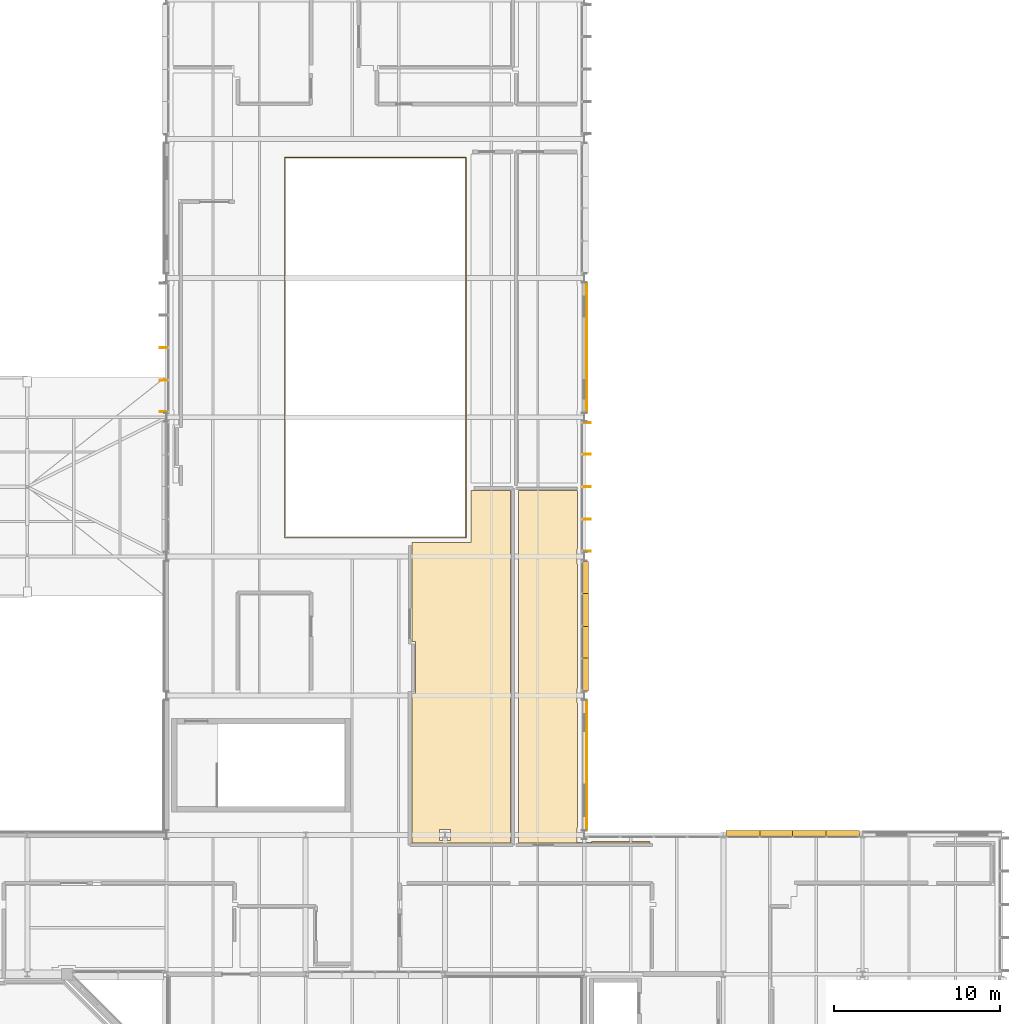
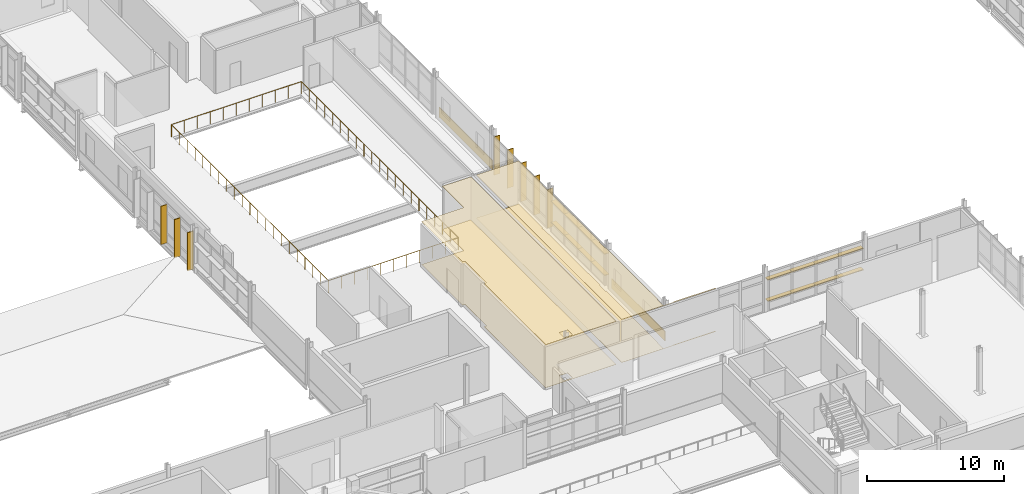
# One storey, part 138 of 151: 24 shading devices, 6 coverings, 1 railing.
"""IFC4 building model written with IfcOpenShell, lengths in metres."""

from ifc_helpers import new_model, si_unit, direction, frame, origin, origin_2d, place, context, subcontext, project, spatial, polyline, rectangle, circle, outline, extrude, material, layer, layer_set, type_object, element, save


model = new_model("IFC4")

# Units and contexts
model_context = context("Model", 3, precision=1e-05, world=origin(), true_north=direction((0.0, 1.0)))
body_context = subcontext(model_context, "Body", "Model", "MODEL_VIEW")
ifc_project = project(units=[si_unit("LENGTHUNIT", "METRE"), si_unit("AREAUNIT", "SQUARE_METRE"), si_unit("VOLUMEUNIT", "CUBIC_METRE"), si_unit("PLANEANGLEUNIT", "RADIAN"), si_unit("MASSUNIT", "GRAM", prefix="KILO")], contexts=[model_context])

# Site, building, storey
site_placement = place(None, origin())
site = spatial("IfcSite", under=ifc_project, at=site_placement, CompositionType="ELEMENT")
building_placement = place(site_placement, origin())
building = spatial("IfcBuilding", under=site, at=building_placement, Name="Mersafa Astral City Hall", CompositionType="ELEMENT")
storey_placement = place(building_placement, frame((0.0, 0.0, 9.89990234375)))
storey = spatial("IfcBuildingStorey", under=building, at=storey_placement, Name="L02", CompositionType="ELEMENT", Elevation=9.89990234375)

# Coverings
ifc_material_1 = material(Name="Cairo Mokattam buff limestone cladding", Category="masonry")
ifc_layer_1 = layer(ifc_material_1, 0.06005859375, Name="Cairo Mokattam buff limestone cladding")
ifc_layer_set_1 = layer_set([ifc_layer_1], Name="Cairo Mokattam buff limestone cladding — ENV-COV-LIMESTONE-60")
covering_type_1 = type_object("IfcCoveringType", Name="ENV-COV-LIMESTONE-60", PredefinedType="CLADDING", material=ifc_layer_set_1)
for number, where, z_axis, x_axis, name in (
    (1, (117.75439453125, 37.800048828125, 0.0), (0.0, 0.0, 1.0), (0.0, 1.0, 0.0), "L02 Cairo buff limestone rainscreen cladding 158"),
    (2, (117.7470703125, 63.0, 0.0), (0.0, 0.0, 1.0), (0.0, 1.0, 0.0), "L02 Cairo buff limestone rainscreen cladding 159"),
):
    element("IfcCovering", number, at=place(storey_placement, frame(where, z_axis=z_axis, x_axis=x_axis)), inside=storey, type_object=covering_type_1, Name=name, PredefinedType="CLADDING", context=body_context, shape_type="SweptSolid", body=[
        extrude(rectangle(XDim=7.798095703125, YDim=0.06005859375, at=origin_2d()), origin(), (0.0, 0.0, 1.0), 0.860107421875),
    ])

# Railing
ifc_material_2 = material(Name="Architectural steel atrium guard balustrade", Category="steel")
railing_type = type_object("IfcRailingType", Name="ENV-RAIL-ATRIUM-1120", PredefinedType="BALUSTRADE", material=ifc_material_2)
railing_placement = place(storey_placement, frame((99.530029296875, 51.530029296875, 0.0)))
element("IfcRailing", 3, at=railing_placement, inside=storey, type_object=railing_type, Name="L02 Multi-storey void guard balustrade VOID-L02-ATRIUM", PredefinedType="BALUSTRADE", context=body_context, shape_type="SweptSolid", body=[
    extrude(circle(Radius=0.02392578125, at=origin_2d()), frame((0.0, 0.0, 1.09619140625), z_axis=(1.0, 0.0, 0.0), x_axis=(0.0, 1.0, 0.0)), (0.0, 0.0, 1.0), 10.93994140625),
    extrude(circle(Radius=0.02392578125, at=origin_2d()), frame((10.93994140625, 0.0, 1.09619140625), z_axis=(0.0, 1.0, 0.0), x_axis=(-1.0, 0.0, 0.0)), (0.0, 0.0, 1.0), 22.93994140625),
    extrude(circle(Radius=0.02392578125, at=origin_2d()), frame((10.93994140625, 22.93994140625, 1.09619140625), z_axis=(-1.0, 0.0, 0.0), x_axis=(0.0, -1.0, 0.0)), (0.0, 0.0, 1.0), 10.93994140625),
    extrude(circle(Radius=0.02392578125, at=origin_2d()), frame((0.0, 22.93994140625, 1.09619140625), z_axis=(0.0, -1.0, 0.0), x_axis=(1.0, 0.0, 0.0)), (0.0, 0.0, 1.0), 22.93994140625),
    extrude(circle(Radius=0.02099609375, at=origin_2d()), origin(), (0.0, 0.0, 1.0), 1.072021484375),
    extrude(circle(Radius=0.02099609375, at=origin_2d()), frame((1.093994140625, 0.0, 0.0)), (0.0, 0.0, 1.0), 1.072021484375),
    extrude(circle(Radius=0.02099609375, at=origin_2d()), frame((2.18798828125, 0.0, 0.0)), (0.0, 0.0, 1.0), 1.072021484375),
    extrude(circle(Radius=0.02099609375, at=origin_2d()), frame((3.281982421875, 0.0, 0.0)), (0.0, 0.0, 1.0), 1.072021484375),
    extrude(circle(Radius=0.02099609375, at=origin_2d()), frame((4.3759765625, 0.0, 0.0)), (0.0, 0.0, 1.0), 1.072021484375),
    extrude(circle(Radius=0.02099609375, at=origin_2d()), frame((5.469970703125, 0.0, 0.0)), (0.0, 0.0, 1.0), 1.072021484375),
    extrude(circle(Radius=0.02099609375, at=origin_2d()), frame((6.56396484375, 0.0, 0.0)), (0.0, 0.0, 1.0), 1.072021484375),
    extrude(circle(Radius=0.02099609375, at=origin_2d()), frame((7.657958984375, 0.0, 0.0)), (0.0, 0.0, 1.0), 1.072021484375),
    extrude(circle(Radius=0.02099609375, at=origin_2d()), frame((8.751953125, 0.0, 0.0)), (0.0, 0.0, 1.0), 1.072021484375),
    extrude(circle(Radius=0.02099609375, at=origin_2d()), frame((9.845947265625, 0.0, 0.0)), (0.0, 0.0, 1.0), 1.072021484375),
    extrude(circle(Radius=0.02099609375, at=origin_2d()), frame((10.93994140625, 0.0, 0.0)), (0.0, 0.0, 1.0), 1.072021484375),
    extrude(circle(Radius=0.02099609375, at=origin_2d()), frame((10.93994140625, 1.14697265625, 0.0)), (0.0, 0.0, 1.0), 1.072021484375),
    extrude(circle(Radius=0.02099609375, at=origin_2d()), frame((10.93994140625, 2.2939453125, 0.0)), (0.0, 0.0, 1.0), 1.072021484375),
    extrude(circle(Radius=0.02099609375, at=origin_2d()), frame((10.93994140625, 3.44091796875, 0.0)), (0.0, 0.0, 1.0), 1.072021484375),
    extrude(circle(Radius=0.02099609375, at=origin_2d()), frame((10.93994140625, 4.587890625, 0.0)), (0.0, 0.0, 1.0), 1.072021484375),
    extrude(circle(Radius=0.02099609375, at=origin_2d()), frame((10.93994140625, 5.73486328125, 0.0)), (0.0, 0.0, 1.0), 1.072021484375),
    extrude(circle(Radius=0.02099609375, at=origin_2d()), frame((10.93994140625, 6.882080078125, 0.0)), (0.0, 0.0, 1.0), 1.072021484375),
    extrude(circle(Radius=0.02099609375, at=origin_2d()), frame((10.93994140625, 8.029052734375, 0.0)), (0.0, 0.0, 1.0), 1.072021484375),
    extrude(circle(Radius=0.02099609375, at=origin_2d()), frame((10.93994140625, 9.176025390625, 0.0)), (0.0, 0.0, 1.0), 1.072021484375),
    extrude(circle(Radius=0.02099609375, at=origin_2d()), frame((10.93994140625, 10.322998046875, 0.0)), (0.0, 0.0, 1.0), 1.072021484375),
    extrude(circle(Radius=0.02099609375, at=origin_2d()), frame((10.93994140625, 11.469970703125, 0.0)), (0.0, 0.0, 1.0), 1.072021484375),
    extrude(circle(Radius=0.02099609375, at=origin_2d()), frame((10.93994140625, 12.616943359375, 0.0)), (0.0, 0.0, 1.0), 1.072021484375),
    extrude(circle(Radius=0.02099609375, at=origin_2d()), frame((10.93994140625, 13.763916015625, 0.0)), (0.0, 0.0, 1.0), 1.072021484375),
    extrude(circle(Radius=0.02099609375, at=origin_2d()), frame((10.93994140625, 14.910888671875, 0.0)), (0.0, 0.0, 1.0), 1.072021484375),
    extrude(circle(Radius=0.02099609375, at=origin_2d()), frame((10.93994140625, 16.057861328125, 0.0)), (0.0, 0.0, 1.0), 1.072021484375),
    extrude(circle(Radius=0.02099609375, at=origin_2d()), frame((10.93994140625, 17.205078125, 0.0)), (0.0, 0.0, 1.0), 1.072021484375),
    extrude(circle(Radius=0.02099609375, at=origin_2d()), frame((10.93994140625, 18.35205078125, 0.0)), (0.0, 0.0, 1.0), 1.072021484375),
    extrude(circle(Radius=0.02099609375, at=origin_2d()), frame((10.93994140625, 19.4990234375, 0.0)), (0.0, 0.0, 1.0), 1.072021484375),
    extrude(circle(Radius=0.02099609375, at=origin_2d()), frame((10.93994140625, 20.64599609375, 0.0)), (0.0, 0.0, 1.0), 1.072021484375),
    extrude(circle(Radius=0.02099609375, at=origin_2d()), frame((10.93994140625, 21.79296875, 0.0)), (0.0, 0.0, 1.0), 1.072021484375),
    extrude(circle(Radius=0.02099609375, at=origin_2d()), frame((10.93994140625, 22.93994140625, 0.0)), (0.0, 0.0, 1.0), 1.072021484375),
    extrude(circle(Radius=0.02099609375, at=origin_2d()), frame((9.845947265625, 22.93994140625, 0.0)), (0.0, 0.0, 1.0), 1.072021484375),
    extrude(circle(Radius=0.02099609375, at=origin_2d()), frame((8.751953125, 22.93994140625, 0.0)), (0.0, 0.0, 1.0), 1.072021484375),
    extrude(circle(Radius=0.02099609375, at=origin_2d()), frame((7.657958984375, 22.93994140625, 0.0)), (0.0, 0.0, 1.0), 1.072021484375),
    extrude(circle(Radius=0.02099609375, at=origin_2d()), frame((6.56396484375, 22.93994140625, 0.0)), (0.0, 0.0, 1.0), 1.072021484375),
    extrude(circle(Radius=0.02099609375, at=origin_2d()), frame((5.469970703125, 22.93994140625, 0.0)), (0.0, 0.0, 1.0), 1.072021484375),
    extrude(circle(Radius=0.02099609375, at=origin_2d()), frame((4.3759765625, 22.93994140625, 0.0)), (0.0, 0.0, 1.0), 1.072021484375),
    extrude(circle(Radius=0.02099609375, at=origin_2d()), frame((3.281982421875, 22.93994140625, 0.0)), (0.0, 0.0, 1.0), 1.072021484375),
    extrude(circle(Radius=0.02099609375, at=origin_2d()), frame((2.18798828125, 22.93994140625, 0.0)), (0.0, 0.0, 1.0), 1.072021484375),
    extrude(circle(Radius=0.02099609375, at=origin_2d()), frame((1.093994140625, 22.93994140625, 0.0)), (0.0, 0.0, 1.0), 1.072021484375),
    extrude(circle(Radius=0.02099609375, at=origin_2d()), frame((0.0, 22.93994140625, 0.0)), (0.0, 0.0, 1.0), 1.072021484375),
    extrude(circle(Radius=0.02099609375, at=origin_2d()), frame((0.0, 21.79296875, 0.0)), (0.0, 0.0, 1.0), 1.072021484375),
    extrude(circle(Radius=0.02099609375, at=origin_2d()), frame((0.0, 20.64599609375, 0.0)), (0.0, 0.0, 1.0), 1.072021484375),
    extrude(circle(Radius=0.02099609375, at=origin_2d()), frame((0.0, 19.4990234375, 0.0)), (0.0, 0.0, 1.0), 1.072021484375),
    extrude(circle(Radius=0.02099609375, at=origin_2d()), frame((0.0, 18.35205078125, 0.0)), (0.0, 0.0, 1.0), 1.072021484375),
    extrude(circle(Radius=0.02099609375, at=origin_2d()), frame((0.0, 17.205078125, 0.0)), (0.0, 0.0, 1.0), 1.072021484375),
    extrude(circle(Radius=0.02099609375, at=origin_2d()), frame((0.0, 16.057861328125, 0.0)), (0.0, 0.0, 1.0), 1.072021484375),
    extrude(circle(Radius=0.02099609375, at=origin_2d()), frame((0.0, 14.910888671875, 0.0)), (0.0, 0.0, 1.0), 1.072021484375),
    extrude(circle(Radius=0.02099609375, at=origin_2d()), frame((0.0, 13.763916015625, 0.0)), (0.0, 0.0, 1.0), 1.072021484375),
    extrude(circle(Radius=0.02099609375, at=origin_2d()), frame((0.0, 12.616943359375, 0.0)), (0.0, 0.0, 1.0), 1.072021484375),
    extrude(circle(Radius=0.02099609375, at=origin_2d()), frame((0.0, 11.469970703125, 0.0)), (0.0, 0.0, 1.0), 1.072021484375),
    extrude(circle(Radius=0.02099609375, at=origin_2d()), frame((0.0, 10.322998046875, 0.0)), (0.0, 0.0, 1.0), 1.072021484375),
    extrude(circle(Radius=0.02099609375, at=origin_2d()), frame((0.0, 9.176025390625, 0.0)), (0.0, 0.0, 1.0), 1.072021484375),
    extrude(circle(Radius=0.02099609375, at=origin_2d()), frame((0.0, 8.029052734375, 0.0)), (0.0, 0.0, 1.0), 1.072021484375),
    extrude(circle(Radius=0.02099609375, at=origin_2d()), frame((0.0, 6.882080078125, 0.0)), (0.0, 0.0, 1.0), 1.072021484375),
    extrude(circle(Radius=0.02099609375, at=origin_2d()), frame((0.0, 5.73486328125, 0.0)), (0.0, 0.0, 1.0), 1.072021484375),
    extrude(circle(Radius=0.02099609375, at=origin_2d()), frame((0.0, 4.587890625, 0.0)), (0.0, 0.0, 1.0), 1.072021484375),
    extrude(circle(Radius=0.02099609375, at=origin_2d()), frame((0.0, 3.44091796875, 0.0)), (0.0, 0.0, 1.0), 1.072021484375),
    extrude(circle(Radius=0.02099609375, at=origin_2d()), frame((0.0, 2.2939453125, 0.0)), (0.0, 0.0, 1.0), 1.072021484375),
    extrude(circle(Radius=0.02099609375, at=origin_2d()), frame((0.0, 1.14697265625, 0.0)), (0.0, 0.0, 1.0), 1.072021484375),
])

# Shading devices
ifc_material_3 = material(Name="Anodised bronze aluminium solar fin", Category="aluminium")
shading_device_type_1 = type_object("IfcShadingDeviceType", Name="ENV-SHD-FIN-500A", PredefinedType="USERDEFINED", material=ifc_material_3)
for number, where, z_axis, x_axis, name in (
    (4, (117.7451171875, 50.717041015625, -0.01513671875), (0.0, 0.0, 1.0), (0.0, 1.0, 0.0), "L02 Vertical bronze solar fin 711"),
    (5, (117.7451171875, 52.6435546875, -0.01513671875), (0.0, 0.0, 1.0), (0.0, 1.0, 0.0), "L02 Vertical bronze solar fin 712"),
    (6, (117.7451171875, 54.60009765625, -0.01513671875), (0.0, 0.0, 1.0), (0.0, 1.0, 0.0), "L02 Vertical bronze solar fin 713"),
    (7, (117.7451171875, 56.556396484375, -0.01513671875), (0.0, 0.0, 1.0), (0.0, 1.0, 0.0), "L02 Vertical bronze solar fin 714"),
    (8, (117.7451171875, 58.48291015625, -0.01513671875), (0.0, 0.0, 1.0), (0.0, 1.0, 0.0), "L02 Vertical bronze solar fin 715"),
    (9, (92.2548828125, 63.0, -0.01513671875), (0.0, 0.0, 1.0), (0.0, -1.0, 0.0), "L02 Vertical bronze solar fin 936"),
    (10, (92.2548828125, 61.04345703125, -0.01513671875), (0.0, 0.0, 1.0), (0.0, -1.0, 0.0), "L02 Vertical bronze solar fin 937"),
    (11, (92.2548828125, 59.116943359375, -0.01513671875), (0.0, 0.0, 1.0), (0.0, -1.0, 0.0), "L02 Vertical bronze solar fin 938"),
):
    element("IfcShadingDevice", number, at=place(storey_placement, frame(where, z_axis=z_axis, x_axis=x_axis)), inside=storey, type_object=shading_device_type_1, Name=name, ObjectType="FIN", PredefinedType="USERDEFINED", context=body_context, shape_type="SweptSolid", body=[
        extrude(rectangle(XDim=0.06005859375, YDim=0.5, at=origin_2d()), origin(), (0.0, 0.0, 1.0), 3.422119140625),
    ])
ifc_material_4 = material(Name="Kiln-dried cedar timber brise-soleil blade", Category="wood")
shading_device_type_2 = type_object("IfcShadingDeviceType", Name="ENV-SHD-LOUVRE-380", PredefinedType="JALOUSIE", material=ifc_material_4)
shading_device_1_placement = place(storey_placement, frame((133.21337890625, 33.679931640625, 0.81494140625), z_axis=(0.0, 0.0, 1.0), x_axis=(-1.0, 0.0, 0.0)))
element("IfcShadingDevice", 12, at=shading_device_1_placement, inside=storey, type_object=shading_device_type_2, Name="L02 Horizontal cedar brise-soleil louvre 695", PredefinedType="JALOUSIE", context=body_context, shape_type="SweptSolid", body=[
    extrude(rectangle(XDim=2.029052734375, YDim=0.3798828125, at=origin_2d()), origin(), (0.0, 0.0, 1.0), 0.070068359375),
])
for number, where, z_axis, x_axis, name in (
    (13, (131.20947265625, 33.679931640625, 0.81494140625), (0.0, 0.0, 1.0), (-1.0, 0.0, 0.0), "L02 Horizontal cedar brise-soleil louvre 696"),
    (14, (129.1904296875, 33.679931640625, 0.81494140625), (0.0, 0.0, 1.0), (-1.0, 0.0, 0.0), "L02 Horizontal cedar brise-soleil louvre 697"),
):
    element("IfcShadingDevice", number, at=place(storey_placement, frame(where, z_axis=z_axis, x_axis=x_axis)), inside=storey, type_object=shading_device_type_2, Name=name, PredefinedType="JALOUSIE", context=body_context, shape_type="SweptSolid", body=[
        extrude(rectangle(XDim=2.05908203125, YDim=0.3798828125, at=origin_2d()), origin(), (0.0, 0.0, 1.0), 0.070068359375),
    ])
for number, where, z_axis, x_axis, name in (
    (15, (127.1865234375, 33.679931640625, 0.81494140625), (0.0, 0.0, 1.0), (-1.0, 0.0, 0.0), "L02 Horizontal cedar brise-soleil louvre 698"),
    (16, (133.21337890625, 33.679931640625, 2.71484375), (0.0, 0.0, 1.0), (-1.0, 0.0, 0.0), "L02 Horizontal cedar brise-soleil louvre 699"),
):
    element("IfcShadingDevice", number, at=place(storey_placement, frame(where, z_axis=z_axis, x_axis=x_axis)), inside=storey, type_object=shading_device_type_2, Name=name, PredefinedType="JALOUSIE", context=body_context, shape_type="SweptSolid", body=[
        extrude(rectangle(XDim=2.029052734375, YDim=0.3798828125, at=origin_2d()), origin(), (0.0, 0.0, 1.0), 0.070068359375),
    ])
for number, where, z_axis, x_axis, name in (
    (17, (131.20947265625, 33.679931640625, 2.71484375), (0.0, 0.0, 1.0), (-1.0, 0.0, 0.0), "L02 Horizontal cedar brise-soleil louvre 700"),
    (18, (129.1904296875, 33.679931640625, 2.71484375), (0.0, 0.0, 1.0), (-1.0, 0.0, 0.0), "L02 Horizontal cedar brise-soleil louvre 701"),
):
    element("IfcShadingDevice", number, at=place(storey_placement, frame(where, z_axis=z_axis, x_axis=x_axis)), inside=storey, type_object=shading_device_type_2, Name=name, PredefinedType="JALOUSIE", context=body_context, shape_type="SweptSolid", body=[
        extrude(rectangle(XDim=2.05908203125, YDim=0.3798828125, at=origin_2d()), origin(), (0.0, 0.0, 1.0), 0.070068359375),
    ])
shading_device_2_placement = place(storey_placement, frame((127.1865234375, 33.679931640625, 2.71484375), z_axis=(0.0, 0.0, 1.0), x_axis=(-1.0, 0.0, 0.0)))
element("IfcShadingDevice", 19, at=shading_device_2_placement, inside=storey, type_object=shading_device_type_2, Name="L02 Horizontal cedar brise-soleil louvre 702", PredefinedType="JALOUSIE", context=body_context, shape_type="SweptSolid", body=[
    extrude(rectangle(XDim=2.029052734375, YDim=0.3798828125, at=origin_2d()), origin(), (0.0, 0.0, 1.0), 0.070068359375),
])
shading_device_3_placement = place(storey_placement, frame((117.679931640625, 43.2802734375, 0.81494140625), z_axis=(0.0, 0.0, 1.0), x_axis=(0.0, 1.0, 0.0)))
element("IfcShadingDevice", 20, at=shading_device_3_placement, inside=storey, type_object=shading_device_type_2, Name="L02 Horizontal cedar brise-soleil louvre 703", PredefinedType="JALOUSIE", context=body_context, shape_type="SweptSolid", body=[
    extrude(rectangle(XDim=1.966552734375, YDim=0.3798828125, at=origin_2d()), origin(), (0.0, 0.0, 1.0), 0.070068359375),
])
for number, where, z_axis, x_axis, name in (
    (21, (117.679931640625, 45.2216796875, 0.81494140625), (0.0, 0.0, 1.0), (0.0, 1.0, 0.0), "L02 Horizontal cedar brise-soleil louvre 704"),
    (22, (117.679931640625, 47.17822265625, 0.81494140625), (0.0, 0.0, 1.0), (0.0, 1.0, 0.0), "L02 Horizontal cedar brise-soleil louvre 705"),
):
    element("IfcShadingDevice", number, at=place(storey_placement, frame(where, z_axis=z_axis, x_axis=x_axis)), inside=storey, type_object=shading_device_type_2, Name=name, PredefinedType="JALOUSIE", context=body_context, shape_type="SweptSolid", body=[
        extrude(rectangle(XDim=1.99658203125, YDim=0.3798828125, at=origin_2d()), origin(), (0.0, 0.0, 1.0), 0.070068359375),
    ])
for number, where, z_axis, x_axis, name in (
    (23, (117.679931640625, 49.11962890625, 0.81494140625), (0.0, 0.0, 1.0), (0.0, 1.0, 0.0), "L02 Horizontal cedar brise-soleil louvre 706"),
    (24, (117.679931640625, 43.2802734375, 2.71484375), (0.0, 0.0, 1.0), (0.0, 1.0, 0.0), "L02 Horizontal cedar brise-soleil louvre 707"),
):
    element("IfcShadingDevice", number, at=place(storey_placement, frame(where, z_axis=z_axis, x_axis=x_axis)), inside=storey, type_object=shading_device_type_2, Name=name, PredefinedType="JALOUSIE", context=body_context, shape_type="SweptSolid", body=[
        extrude(rectangle(XDim=1.966552734375, YDim=0.3798828125, at=origin_2d()), origin(), (0.0, 0.0, 1.0), 0.070068359375),
    ])
for number, where, z_axis, x_axis, name in (
    (25, (117.679931640625, 45.2216796875, 2.71484375), (0.0, 0.0, 1.0), (0.0, 1.0, 0.0), "L02 Horizontal cedar brise-soleil louvre 708"),
    (26, (117.679931640625, 47.17822265625, 2.71484375), (0.0, 0.0, 1.0), (0.0, 1.0, 0.0), "L02 Horizontal cedar brise-soleil louvre 709"),
):
    element("IfcShadingDevice", number, at=place(storey_placement, frame(where, z_axis=z_axis, x_axis=x_axis)), inside=storey, type_object=shading_device_type_2, Name=name, PredefinedType="JALOUSIE", context=body_context, shape_type="SweptSolid", body=[
        extrude(rectangle(XDim=1.99658203125, YDim=0.3798828125, at=origin_2d()), origin(), (0.0, 0.0, 1.0), 0.070068359375),
    ])
shading_device_4_placement = place(storey_placement, frame((117.679931640625, 49.11962890625, 2.71484375), z_axis=(0.0, 0.0, 1.0), x_axis=(0.0, 1.0, 0.0)))
element("IfcShadingDevice", 27, at=shading_device_4_placement, inside=storey, type_object=shading_device_type_2, Name="L02 Horizontal cedar brise-soleil louvre 710", PredefinedType="JALOUSIE", context=body_context, shape_type="SweptSolid", body=[
    extrude(rectangle(XDim=1.966552734375, YDim=0.3798828125, at=origin_2d()), origin(), (0.0, 0.0, 1.0), 0.070068359375),
])

# Coverings
ifc_material_5 = material(Name="Perforated acoustic gypsum board ceiling", Category="gypsum")
ifc_layer_2 = layer(ifc_material_5, 0.02490234375, Name="Perforated acoustic gypsum board ceiling")
ifc_layer_set_2 = layer_set([ifc_layer_2], Name="Perforated acoustic gypsum board ceiling — INT-COV-CEIL-25")
covering_type_2 = type_object("IfcCoveringType", Name="INT-COV-CEIL-25", PredefinedType="CEILING", material=ifc_layer_set_2)
covering_1_placement = place(storey_placement, frame((0.0, 0.0, 3.8310546875)))
element("IfcCovering", 28, at=covering_1_placement, inside=storey, type_object=covering_type_2, Name="L02 Library Stack L02-05 acoustic ceiling", PredefinedType="CEILING", context=body_context, shape_type="SweptSolid", body=[
    extrude(outline(polyline([(107.419921875, 42.1201171875), (107.419921875, 45.260009765625), (107.219970703125, 45.260009765625), (107.219970703125, 51.239990234375), (110.760009765625, 51.239990234375), (110.760009765625, 54.3701171875), (113.169921875, 54.3701171875), (113.169921875, 33.1201171875), (107.219970703125, 33.1201171875), (107.219970703125, 42.1201171875), (107.419921875, 42.1201171875)]), holes=[polyline([(109.5400390625, 33.260009765625), (109.5400390625, 33.93994140625), (108.860107421875, 33.93994140625), (108.860107421875, 33.260009765625), (109.5400390625, 33.260009765625)])]), origin(), (0.0, 0.0, 1.0), 0.025146484375),
])
covering_2_placement = place(storey_placement, frame((0.0, 0.0, 3.8310546875)))
element("IfcCovering", 29, at=covering_2_placement, inside=storey, type_object=covering_type_2, Name="L02 Public Restroom L02-10 acoustic ceiling", PredefinedType="CEILING", context=body_context, shape_type="SweptSolid", body=[
    extrude(outline(polyline([(117.199951171875, 54.3701171875), (117.199951171875, 50.844970703125), (117.155029296875, 50.844970703125), (117.155029296875, 49.955078125), (117.199951171875, 49.955078125), (117.199951171875, 42.445068359375), (117.155029296875, 42.445068359375), (117.155029296875, 41.554931640625), (117.199951171875, 41.554931640625), (117.199951171875, 34.044921875), (117.155029296875, 34.044921875), (117.155029296875, 33.155029296875), (118.044921875, 33.155029296875), (118.044921875, 33.199951171875), (121.570068359375, 33.199951171875), (121.570068359375, 33.1201171875), (113.6298828125, 33.1201171875), (113.6298828125, 54.3701171875), (117.199951171875, 54.3701171875)])), origin(), (0.0, 0.0, 1.0), 0.025146484375),
])
ifc_material_6 = material(Name="Heavy-duty woven acoustic carpet tile", Category="finish")
ifc_layer_3 = layer(ifc_material_6, 0.014892578125, Name="Heavy-duty woven acoustic carpet tile")
ifc_layer_set_3 = layer_set([ifc_layer_3], Name="Heavy-duty woven acoustic carpet tile — INT-COV-FLR-15")
covering_type_3 = type_object("IfcCoveringType", Name="INT-COV-FLR-15", PredefinedType="FLOORING", material=ifc_layer_set_3)
covering_3_placement = place(storey_placement, frame((0.0, 0.0, -0.00146484375)))
element("IfcCovering", 30, at=covering_3_placement, inside=storey, type_object=covering_type_3, Name="L02 Library Stack L02-05 architectural flooring", PredefinedType="FLOORING", context=body_context, shape_type="SweptSolid", body=[
    extrude(outline(polyline([(107.419921875, 42.1201171875), (107.419921875, 45.260009765625), (107.219970703125, 45.260009765625), (107.219970703125, 51.239990234375), (110.760009765625, 51.239990234375), (110.760009765625, 54.3701171875), (113.169921875, 54.3701171875), (113.169921875, 33.1201171875), (107.219970703125, 33.1201171875), (107.219970703125, 42.1201171875), (107.419921875, 42.1201171875)]), holes=[polyline([(109.5400390625, 33.260009765625), (109.5400390625, 33.93994140625), (108.860107421875, 33.93994140625), (108.860107421875, 33.260009765625), (109.5400390625, 33.260009765625)])]), origin(), (0.0, 0.0, 1.0), 0.014892578125),
])
covering_4_placement = place(storey_placement, frame((0.0, 0.0, -0.00146484375)))
element("IfcCovering", 31, at=covering_4_placement, inside=storey, type_object=covering_type_3, Name="L02 Public Restroom L02-10 architectural flooring", PredefinedType="FLOORING", context=body_context, shape_type="SweptSolid", body=[
    extrude(outline(polyline([(117.199951171875, 54.3701171875), (117.199951171875, 50.844970703125), (117.155029296875, 50.844970703125), (117.155029296875, 49.955078125), (117.199951171875, 49.955078125), (117.199951171875, 42.445068359375), (117.155029296875, 42.445068359375), (117.155029296875, 41.554931640625), (117.199951171875, 41.554931640625), (117.199951171875, 34.044921875), (117.155029296875, 34.044921875), (117.155029296875, 33.155029296875), (118.044921875, 33.155029296875), (118.044921875, 33.199951171875), (121.570068359375, 33.199951171875), (121.570068359375, 33.1201171875), (113.6298828125, 33.1201171875), (113.6298828125, 54.3701171875), (117.199951171875, 54.3701171875)])), origin(), (0.0, 0.0, 1.0), 0.014892578125),
])

save(model, "model.ifc")
